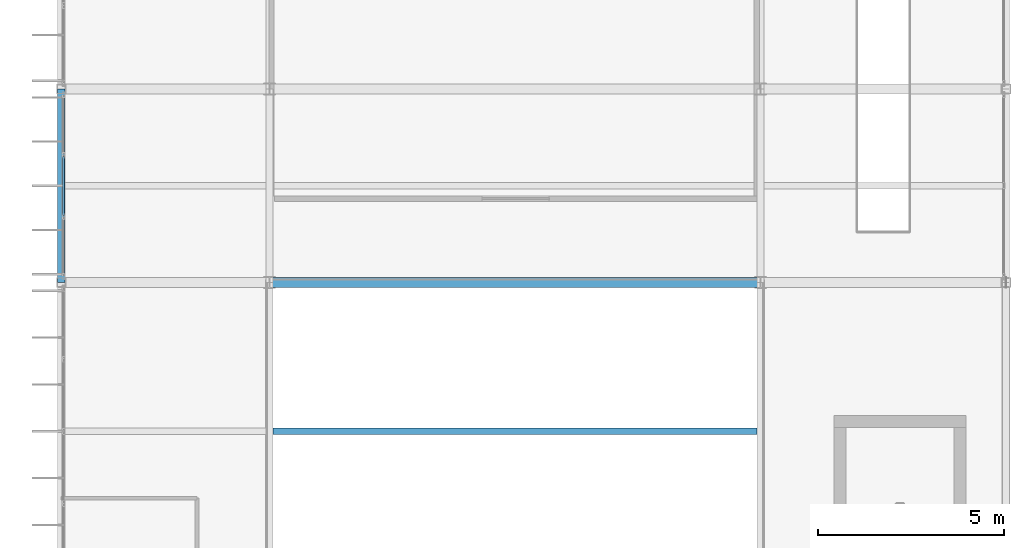
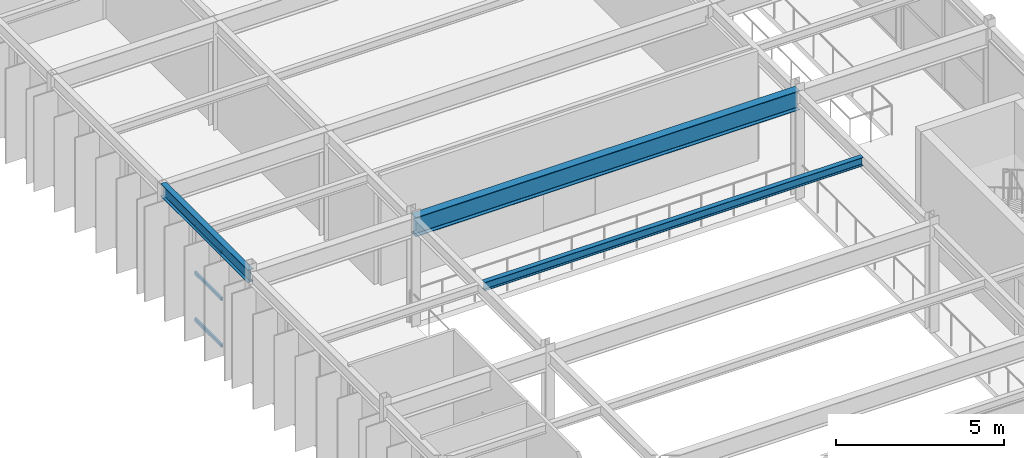
# One storey, part 45 of 157: 3 beams, 3 members, 1 element without a shape of its own.
"""IFC4 building model written with IfcOpenShell, lengths in metres."""

import ifcopenshell
import ifcopenshell.guid

model = None  # the IFC model being written
_history = None  # IfcOwnerHistory: only IFC2X3 demands one
_inside = {}  # id of a spatial element -> (the spatial element, [elements in it])
_under = {}  # id of a project, library or spatial element -> (it, [spatial elements below it])
_declared = {}  # id of a project -> (the project, [libraries it declares])
_typed = {}  # id of a type object -> (the type object, [elements of that type])
_made_of = {}  # id of a material, layer set ... -> (it, [elements and type objects made of it])


def new_model(schema):
    """Start an empty IFC model of exactly this schema.

    Asked for "IFC4X3", IfcOpenShell would pick the latest addendum, in which some entities
    have other attributes; the version numbers below select the first issue.
    IFC2X3 requires an IfcOwnerHistory on every rooted entity: one is made here for all.
    """
    global model, _history
    if schema == "IFC4X3":
        model = ifcopenshell.file(schema_version=(4, 3, 0, 0))
    else:
        model = ifcopenshell.file(schema=schema)
    _inside.clear()
    _under.clear()
    _declared.clear()
    _typed.clear()
    _made_of.clear()
    _history = None
    if model.schema == "IFC2X3":
        org = make("IfcOrganization", Name="unknown")
        user = make(
            "IfcPersonAndOrganization",
            ThePerson=make("IfcPerson", FamilyName="unknown"),
            TheOrganization=org,
        )
        app = make(
            "IfcApplication",
            ApplicationDeveloper=org,
            Version="unknown",
            ApplicationFullName="unknown",
            ApplicationIdentifier="unknown",
        )
        _history = make(
            "IfcOwnerHistory",
            OwningUser=user,
            OwningApplication=app,
            ChangeAction="ADDED",
            CreationDate=0,
        )
    return model


def make(cls, **values):
    """One entity of the class cls with the attributes given. An attribute that is None is left unset."""
    return model.create_entity(
        cls, **{name: value for name, value in values.items() if value is not None}
    )


def rooted(cls, **values):
    """An entity with a GlobalId (a new one), such as an element, a storey or a relation."""
    return make(cls, GlobalId=ifcopenshell.guid.new(), OwnerHistory=_history, **values)


def si_unit(unit_type, name, prefix=None):
    """IfcSIUnit, for example si_unit("LENGTHUNIT", "METRE", prefix="MILLI")."""
    return make("IfcSIUnit", UnitType=unit_type, Prefix=prefix, Name=name)


def assignment(units):
    """IfcUnitAssignment: the units of a project."""
    return None if units is None else make("IfcUnitAssignment", Units=units)


def point(xyz):
    """IfcCartesianPoint."""
    return None if xyz is None else make("IfcCartesianPoint", Coordinates=xyz)


def direction(xyz):
    """IfcDirection."""
    return None if xyz is None else make("IfcDirection", DirectionRatios=xyz)


def frame(location, z_axis=None, x_axis=None):
    """IfcAxis2Placement3D, a coordinate frame: its origin and axes. An axis left out is left unset."""
    return make(
        "IfcAxis2Placement3D",
        Location=point(location),
        Axis=direction(z_axis),
        RefDirection=direction(x_axis),
    )


def frame_2d(location, x_axis=None):
    """IfcAxis2Placement2D, a coordinate frame in the plane: its origin and x axis."""
    return make(
        "IfcAxis2Placement2D", Location=point(location), RefDirection=direction(x_axis)
    )


def origin():
    """The frame at (0, 0, 0) with its axes left unset."""
    return frame((0.0, 0.0, 0.0))


def origin_2d():
    """The frame at (0, 0) in the plane with its x axis left unset."""
    return frame_2d((0.0, 0.0))


def place(relative_to, where):
    """IfcLocalPlacement: puts the frame where relative to a parent placement (None: the world)."""
    return make(
        "IfcLocalPlacement", PlacementRelTo=relative_to, RelativePlacement=where
    )


def context(
    kind, dimensions, precision=None, world=None, true_north=None, identifier=None
):
    """IfcGeometricRepresentationContext, for example the 3D "Model" context."""
    return make(
        "IfcGeometricRepresentationContext",
        ContextIdentifier=identifier,
        ContextType=kind,
        CoordinateSpaceDimension=dimensions,
        Precision=precision,
        WorldCoordinateSystem=world,
        TrueNorth=true_north,
    )


def subcontext(parent, identifier, kind, view, scale=None):
    """IfcGeometricRepresentationSubContext, for example "Body" below "Model"."""
    return make(
        "IfcGeometricRepresentationSubContext",
        ContextIdentifier=identifier,
        ContextType=kind,
        ParentContext=parent,
        TargetScale=scale,
        TargetView=view,
    )


def project(units=None, contexts=None):
    """IfcProject with its units and contexts."""
    return rooted(
        "IfcProject",
        Name="project",
        RepresentationContexts=contexts,
        UnitsInContext=assignment(units),
    )


def spatial(cls, under=None, at=None, **own):
    """A site, building, storey or space (cls), placed at a placement, below another one or the project."""
    s = rooted(cls, ObjectPlacement=at, **own)
    if under is not None:
        _under.setdefault(under.id(), (under, []))[1].append(s)
    return s


def profile(cls, at=None, kind="AREA", **sizes):
    """A parametric profile (cls). Its sizes go by their IFC names, for example OverallWidth=200.0."""
    return make(cls, ProfileType=kind, Position=at, **sizes)


def hollow_rectangle(**sizes):
    """IfcRectangleHollowProfileDef."""
    return profile("IfcRectangleHollowProfileDef", **sizes)


def i_section(**sizes):
    """IfcIShapeProfileDef."""
    return profile("IfcIShapeProfileDef", **sizes)


def extrude(swept, where, along, depth):
    """IfcExtrudedAreaSolid: the profile swept, set in the frame where, extruded along a direction by depth."""
    return make(
        "IfcExtrudedAreaSolid",
        SweptArea=swept,
        Position=where,
        ExtrudedDirection=direction(along),
        Depth=depth,
    )


def shape(context_of_items, identifier, shape_type, items):
    """IfcShapeRepresentation: the items that make up one representation, for example the "Body"."""
    return make(
        "IfcShapeRepresentation",
        ContextOfItems=context_of_items,
        RepresentationIdentifier=identifier,
        RepresentationType=shape_type,
        Items=items,
    )


def material(Name=None, Category=None):
    """IfcMaterial."""
    return make("IfcMaterial", Name=Name, Category=Category)


def material_profile(
    of_material, cross_section, Name=None, Category=None, Priority=None
):
    """IfcMaterialProfile: a cross section and its material."""
    return make(
        "IfcMaterialProfile",
        Name=Name,
        Material=of_material,
        Profile=cross_section,
        Priority=Priority,
        Category=Category,
    )


def profile_set(profiles, Name=None, composite=None):
    """IfcMaterialProfileSet."""
    return make(
        "IfcMaterialProfileSet",
        Name=Name,
        MaterialProfiles=profiles,
        CompositeProfile=composite,
    )


def made_of(thing, what):
    """Note that an element or type object is made of a material, layer set ...; save() writes the relation."""
    if what is not None:
        _made_of.setdefault(what.id(), (what, []))[1].append(thing)
    return thing


def type_object(cls, material=None, **own):
    """A type object (cls), such as IfcWallType, which elements share."""
    return made_of(rooted(cls, **own), material)


def element(
    cls,
    number,
    at=None,
    inside=None,
    cuts=None,
    type_object=None,
    material=None,
    context=None,
    identifier="Body",
    shape_type=None,
    held_by="IfcProductDefinitionShape",
    body=None,
    shapes=None,
    **own,
):
    """One element of the class cls, such as IfcWall. Its Tag is "e" and its number.

    at: its placement. inside: the storey or other place that contains it. cuts: it is an
    opening in that element (IfcRelVoidsElement). A single representation is given by context,
    identifier, shape_type and body (its items); several are given by shapes. held_by: the class
    of the entity that holds the representations. save() writes the other relations.
    """
    e = rooted(cls, Tag="e%d" % number, ObjectPlacement=at, **own)
    if body is not None:
        shapes = [shape(context, identifier, shape_type, body)]
    if shapes is not None:
        e.Representation = make(held_by, Representations=shapes)
    if inside is not None:
        _inside.setdefault(inside.id(), (inside, []))[1].append(e)
    if cuts is not None:
        rooted(
            "IfcRelVoidsElement", RelatingBuildingElement=cuts, RelatedOpeningElement=e
        )
    if type_object is not None:
        _typed.setdefault(type_object.id(), (type_object, []))[1].append(e)
    return made_of(e, material)


def aggregate(whole, parts):
    """IfcRelAggregates: a whole, such as a stair, and the parts it consists of."""
    return rooted("IfcRelAggregates", RelatingObject=whole, RelatedObjects=parts)


def save(model, path):
    """Write the relations noted so far, then the file.

    IfcRelAggregates (storeys below a building ...), IfcRelContainedInSpatialStructure (elements
    in a storey), IfcRelDefinesByType, IfcRelAssociatesMaterial and IfcRelDeclares: one each for
    every whole, place, type object, material and project.
    """
    for whole, parts in _under.values():
        aggregate(whole, parts)
    for where, things in _inside.values():
        rooted(
            "IfcRelContainedInSpatialStructure",
            RelatedElements=things,
            RelatingStructure=where,
        )
    for kind, things in _typed.values():
        rooted("IfcRelDefinesByType", RelatedObjects=things, RelatingType=kind)
    for what, things in _made_of.values():
        rooted("IfcRelAssociatesMaterial", RelatedObjects=things, RelatingMaterial=what)
    for by, libraries in _declared.values():
        rooted("IfcRelDeclares", RelatingContext=by, RelatedDefinitions=libraries)
    model.write(path)


model = new_model("IFC4")

# Units and contexts
model_context = context("Model", 3, precision=1e-05, world=origin(), true_north=direction((0.0, 1.0)))
body_context = subcontext(model_context, "Body", "Model", "MODEL_VIEW")
ifc_project = project(units=[si_unit("LENGTHUNIT", "METRE"), si_unit("AREAUNIT", "SQUARE_METRE"), si_unit("VOLUMEUNIT", "CUBIC_METRE"), si_unit("PLANEANGLEUNIT", "RADIAN"), si_unit("MASSUNIT", "GRAM", prefix="KILO")], contexts=[model_context])

# Site, building, storey
site_placement = place(None, origin())
site = spatial("IfcSite", under=ifc_project, at=site_placement, CompositionType="ELEMENT")
building_placement = place(site_placement, origin())
building = spatial("IfcBuilding", under=site, at=building_placement, Name="Karori Crest Natural Sciences Institute", CompositionType="ELEMENT")
storey_placement = place(building_placement, frame((0.0, 0.0, 13.300048828125)))
storey = spatial("IfcBuildingStorey", under=building, at=storey_placement, Name="L03", CompositionType="ELEMENT", Elevation=13.300048828125)

# Beams
ifc_material_1 = material(Name="Structural steel AS/NZS 3679.1 Grade 350", Category="steel")
ifc_material_profile_1 = material_profile(ifc_material_1, i_section(OverallWidth=0.27490234375, OverallDepth=0.699951171875, WebThickness=0.010009765625, FlangeThickness=0.02001953125, FilletRadius=0.013916015625, at=origin_2d()), Name="700WB150")
ifc_profile_set_1 = profile_set([ifc_material_profile_1], Name="Structural steel AS/NZS 3679.1 Grade 350")
beam_type_1 = type_object("IfcBeamType", Name="BT-03", PredefinedType="BEAM", material=ifc_profile_set_1)
beam_1_placement = place(storey_placement, frame((7.39990234375, 55.0, 3.570068359375), z_axis=(1.0, 0.0, 0.0), x_axis=(0.0, 1.0, 0.0)))
element("IfcBeam", 1, at=beam_1_placement, inside=storey, type_object=beam_type_1, Name="Beam B-1150", PredefinedType="BEAM", context=body_context, shape_type="SweptSolid", body=[
    extrude(i_section(OverallWidth=0.27490234375, OverallDepth=0.699951171875, WebThickness=0.010009765625, FlangeThickness=0.02001953125, FilletRadius=0.013916015625, at=origin_2d()), origin(), (0.0, 0.0, 1.0), 13.2001953125),
])
ifc_material_profile_2 = material_profile(ifc_material_1, i_section(OverallWidth=0.19091796875, OverallDepth=0.4599609375, WebThickness=0.010009765625, FlangeThickness=0.01611328125, FilletRadius=0.010986328125, at=origin_2d()), Name="460UB82.1")
ifc_profile_set_2 = profile_set([ifc_material_profile_2], Name="Structural steel AS/NZS 3679.1 Grade 350")
beam_type_2 = type_object("IfcBeamType", Name="BT-06-EL", PredefinedType="BEAM", material=ifc_profile_set_2)
beam_2_placement = place(storey_placement, frame((1.800048828125, 55.0, 3.68994140625), z_axis=(0.0, 1.0, 0.0), x_axis=(-1.0, 0.0, 0.0)))
element("IfcBeam", 2, at=beam_2_placement, inside=storey, type_object=beam_type_2, Name="Beam B-1165", PredefinedType="BEAM", context=body_context, shape_type="SweptSolid", body=[
    extrude(i_section(OverallWidth=0.19091796875, OverallDepth=0.4599609375, WebThickness=0.010009765625, FlangeThickness=0.01611328125, FilletRadius=0.010986328125, at=origin_2d()), origin(), (0.0, 0.0, 1.0), 5.199951171875),
])
ifc_material_profile_3 = material_profile(ifc_material_1, i_section(OverallWidth=0.166015625, OverallDepth=0.306884765625, WebThickness=0.006591796875, FlangeThickness=0.01171875, FilletRadius=0.010986328125, at=origin_2d()), Name="310UB46.2")
ifc_profile_set_3 = profile_set([ifc_material_profile_3], Name="Structural steel AS/NZS 3679.1 Grade 350")
beam_type_3 = type_object("IfcBeamType", Name="BT-09", PredefinedType="BEAM", material=ifc_profile_set_3)
beam_3_placement = place(storey_placement, frame((7.49560546875, 51.0, 3.766357421875), z_axis=(1.0, 0.0, 0.0), x_axis=(0.0, 1.0, 0.0)))
element("IfcBeam", 3, at=beam_3_placement, inside=storey, type_object=beam_type_3, Name="Beam B-1197", PredefinedType="BEAM", context=body_context, shape_type="SweptSolid", body=[
    extrude(i_section(OverallWidth=0.166015625, OverallDepth=0.306884765625, WebThickness=0.006591796875, FlangeThickness=0.01171875, FilletRadius=0.010986328125, at=origin_2d()), origin(), (0.0, 0.0, 1.0), 13.0087890625),
])

# Curtain wall, members
ifc_material_2 = material(Name="Anodised architectural aluminium 6063-T6", Category="aluminium")
curtain_wall_type = type_object("IfcCurtainWallType", Name="CWT-17", PredefinedType="NOTDEFINED", material=ifc_material_2)
curtain_wall_placement = place(storey_placement, origin())
curtain_wall = element("IfcCurtainWall", 4, at=curtain_wall_placement, inside=storey, type_object=curtain_wall_type, Name="Curtain wall CW-0280", PredefinedType="NOTDEFINED")
ifc_material_profile_4 = material_profile(ifc_material_2, hollow_rectangle(XDim=0.06005859375, YDim=0.1201171875, WallThickness=0.00390625, at=origin_2d()), Name="CWT120x60x4")
ifc_profile_set_4 = profile_set([ifc_material_profile_4], Name="Anodised architectural aluminium 6063-T6")
member_type = type_object("IfcMemberType", Name="CWT-TR1", PredefinedType="USERDEFINED", material=ifc_profile_set_4)
member_1_placement = place(storey_placement, frame((1.860107421875, 56.806884765625, 0.030029296875), z_axis=(0.0, 1.0, 0.0), x_axis=(-1.0, 0.0, 0.0)))
member_1 = element("IfcMember", 5, at=member_1_placement, type_object=member_type, Name="CW-0280 transom 2.1", ObjectType="TRANSOM", PredefinedType="USERDEFINED", context=body_context, shape_type="SweptSolid", body=[
    extrude(hollow_rectangle(XDim=0.06005859375, YDim=0.1201171875, WallThickness=0.00390625, at=origin_2d()), origin(), (0.0, 0.0, 1.0), 1.586181640625),
])
member_2_placement = place(storey_placement, frame((1.860107421875, 56.806884765625, 1.722412109375), z_axis=(0.0, 1.0, 0.0), x_axis=(-1.0, 0.0, 0.0)))
member_2 = element("IfcMember", 6, at=member_2_placement, type_object=member_type, Name="CW-0280 transom 2.2", ObjectType="TRANSOM", PredefinedType="USERDEFINED", context=body_context, shape_type="SweptSolid", body=[
    extrude(hollow_rectangle(XDim=0.06005859375, YDim=0.1201171875, WallThickness=0.00390625, at=origin_2d()), origin(), (0.0, 0.0, 1.0), 1.586181640625),
])
member_3_placement = place(storey_placement, frame((1.860107421875, 56.806884765625, 3.4150390625), z_axis=(0.0, 1.0, 0.0), x_axis=(-1.0, 0.0, 0.0)))
member_3 = element("IfcMember", 7, at=member_3_placement, type_object=member_type, Name="CW-0280 transom 2.3", ObjectType="TRANSOM", PredefinedType="USERDEFINED", context=body_context, shape_type="SweptSolid", body=[
    extrude(hollow_rectangle(XDim=0.06005859375, YDim=0.1201171875, WallThickness=0.00390625, at=origin_2d()), origin(), (0.0, 0.0, 1.0), 1.586181640625),
])
aggregate(curtain_wall, [member_1, member_2, member_3])

save(model, "model.ifc")
